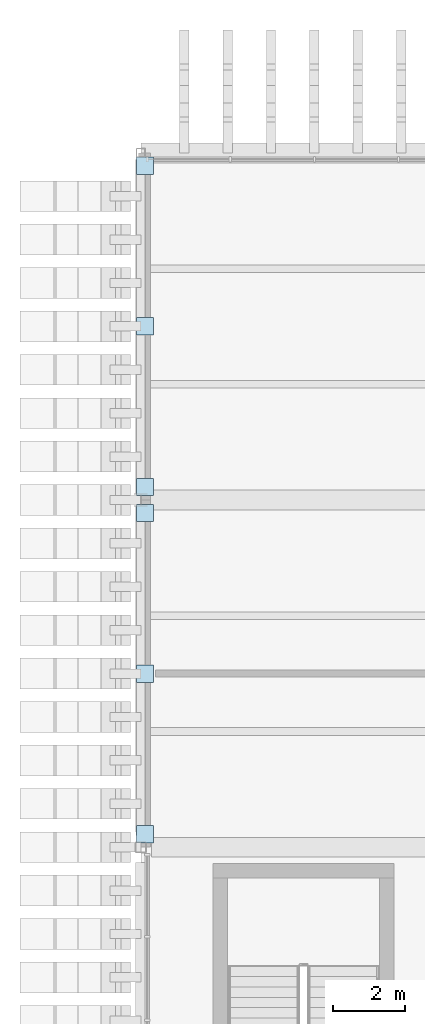
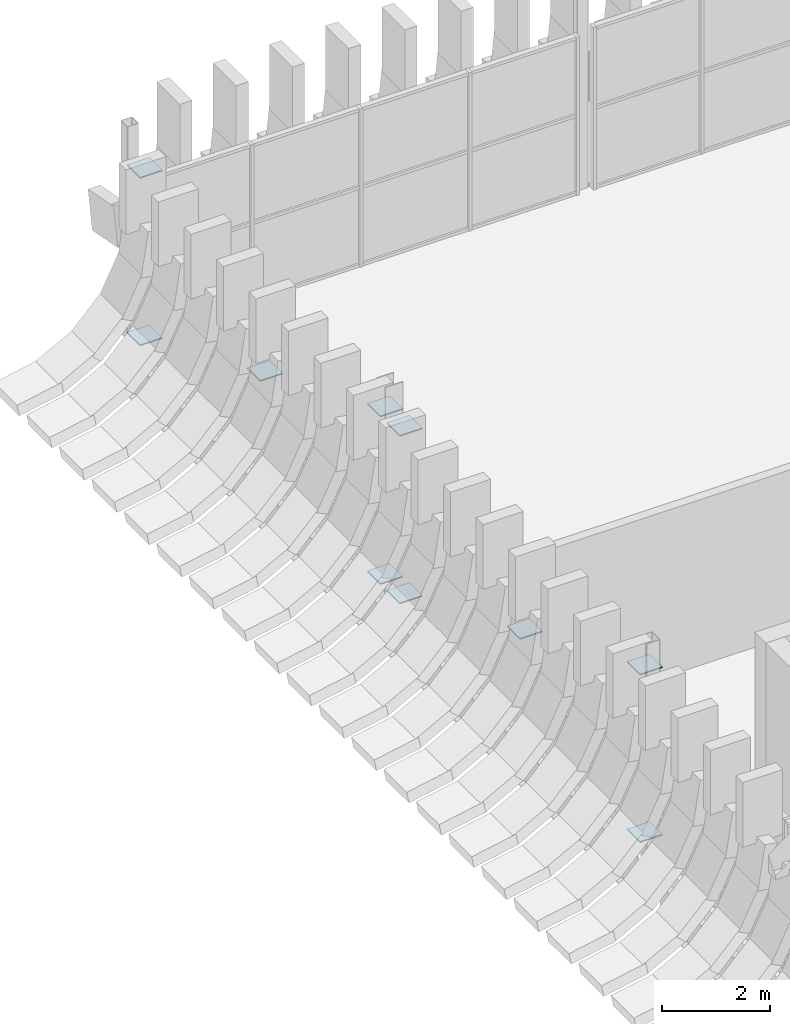
# One storey, part 46 of 100: 10 plates.
"""IFC4 building model written with IfcOpenShell, lengths in metres."""

from ifc_helpers import new_model, si_unit, direction, frame, origin, origin_2d, place, context, subcontext, project, spatial, rectangle, extrude, material, layer, layer_set, type_object, element, save


model = new_model("IFC4")

# Units and contexts
model_context = context("Model", 3, precision=1e-05, world=origin(), true_north=direction((0.0, 1.0)))
body_context = subcontext(model_context, "Body", "Model", "MODEL_VIEW")
ifc_project = project(units=[si_unit("LENGTHUNIT", "METRE"), si_unit("AREAUNIT", "SQUARE_METRE"), si_unit("VOLUMEUNIT", "CUBIC_METRE"), si_unit("PLANEANGLEUNIT", "RADIAN"), si_unit("MASSUNIT", "GRAM", prefix="KILO")], contexts=[model_context])

# Site, building, storey
site_placement = place(None, origin())
site = spatial("IfcSite", under=ifc_project, at=site_placement, CompositionType="ELEMENT")
building_placement = place(site_placement, origin())
building = spatial("IfcBuilding", under=site, at=building_placement, Name="Caelomonte Colonnade Arena", CompositionType="ELEMENT")
storey_placement = place(building_placement, origin())
storey = spatial("IfcBuildingStorey", under=building, at=storey_placement, Name="L00", CompositionType="ELEMENT", Elevation=0.0)

# Plates
ifc_material = material(Name="Steel ASTM A572 Grade 50", Category="steel")
ifc_layer = layer(ifc_material, 0.02490234375)
ifc_layer_set = layer_set([ifc_layer], Name="Steel ASTM A572 Grade 50")
plate_type = type_object("IfcPlateType", Name="STR-PL-PN01", PredefinedType="USERDEFINED", material=ifc_layer_set)
for number, where, z_axis, x_axis, name in (
    (1, (0.114990234375, 72.0, 2.03759765625), (0.0, 0.0, 1.0), (1.0, 0.0, 0.0), "Braced frame BF1 L00 gusset plate X"),
    (2, (0.114990234375, 67.56005859375, 0.1474609375), (0.0, 0.0, 1.0), (1.0, 0.0, 0.0), "Braced frame BF1 L00 gusset plate BL"),
    (3, (0.114990234375, 76.43994140625, 0.1474609375), (0.0, 0.0, 1.0), (1.0, 0.0, 0.0), "Braced frame BF1 L00 gusset plate BR"),
    (4, (0.114990234375, 67.56005859375, 3.927490234375), (0.0, 0.0, 1.0), (1.0, 0.0, 0.0), "Braced frame BF1 L00 gusset plate TL"),
    (5, (0.114990234375, 76.43994140625, 3.927490234375), (0.0, 0.0, 1.0), (1.0, 0.0, 0.0), "Braced frame BF1 L00 gusset plate TR"),
    (6, (0.114990234375, 81.60009765625, 2.03759765625), (0.0, 0.0, 1.0), (1.0, 0.0, 0.0), "Braced frame BF2 L00 gusset plate X"),
    (7, (0.114990234375, 77.159912109375, 0.1474609375), (0.0, 0.0, 1.0), (1.0, 0.0, 0.0), "Braced frame BF2 L00 gusset plate BL"),
    (8, (0.114990234375, 86.0400390625, 0.1474609375), (0.0, 0.0, 1.0), (1.0, 0.0, 0.0), "Braced frame BF2 L00 gusset plate BR"),
    (9, (0.114990234375, 77.159912109375, 3.927490234375), (0.0, 0.0, 1.0), (1.0, 0.0, 0.0), "Braced frame BF2 L00 gusset plate TL"),
    (10, (0.114990234375, 86.0400390625, 3.927490234375), (0.0, 0.0, 1.0), (1.0, 0.0, 0.0), "Braced frame BF2 L00 gusset plate TR"),
):
    element("IfcPlate", number, at=place(storey_placement, frame(where, z_axis=z_axis, x_axis=x_axis)), inside=storey, type_object=plate_type, Name=name, ObjectType="GUSSET PLATE", PredefinedType="USERDEFINED", context=body_context, shape_type="SweptSolid", body=[
        extrude(rectangle(XDim=0.47998046875, YDim=0.47998046875, at=origin_2d()), origin(), (0.0, 0.0, 1.0), 0.02490234375),
    ])

save(model, "model.ifc")
